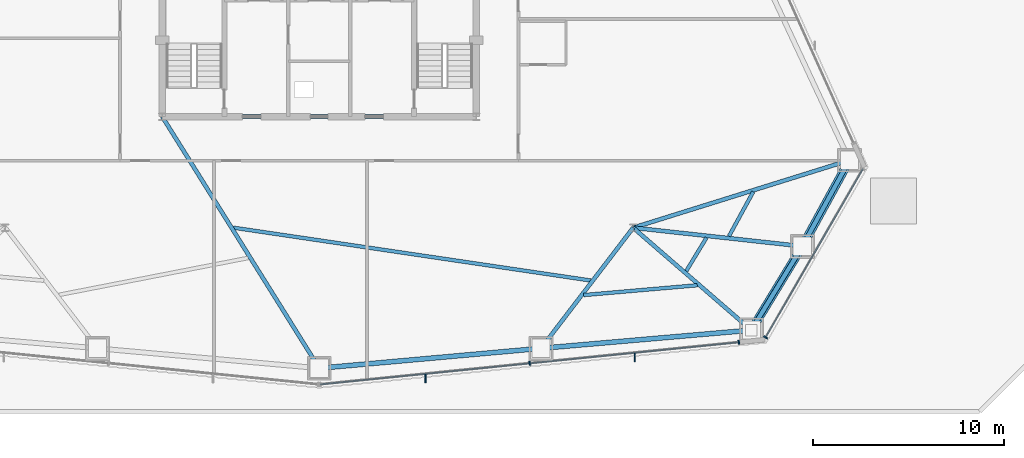
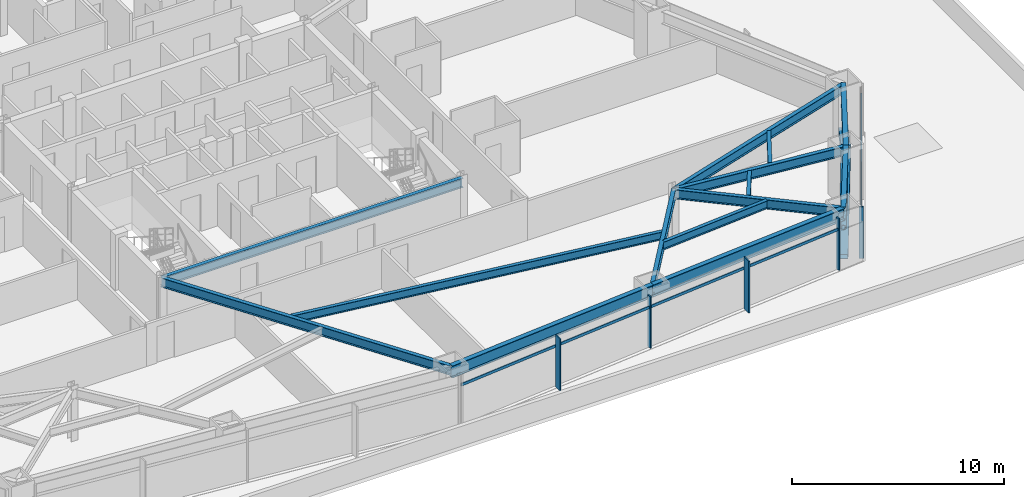
# One storey, part 6 of 17: 14 beams, 10 members, 2 elements without a shape of their own.
"""IFC4 building model written with IfcOpenShell, lengths in metres."""

import ifcopenshell
import ifcopenshell.guid

model = None  # the IFC model being written
_history = None  # IfcOwnerHistory: only IFC2X3 demands one
_inside = {}  # id of a spatial element -> (the spatial element, [elements in it])
_under = {}  # id of a project, library or spatial element -> (it, [spatial elements below it])
_declared = {}  # id of a project -> (the project, [libraries it declares])
_typed = {}  # id of a type object -> (the type object, [elements of that type])
_made_of = {}  # id of a material, layer set ... -> (it, [elements and type objects made of it])


def new_model(schema):
    """Start an empty IFC model of exactly this schema.

    Asked for "IFC4X3", IfcOpenShell would pick the latest addendum, in which some entities
    have other attributes; the version numbers below select the first issue.
    IFC2X3 requires an IfcOwnerHistory on every rooted entity: one is made here for all.
    """
    global model, _history
    if schema == "IFC4X3":
        model = ifcopenshell.file(schema_version=(4, 3, 0, 0))
    else:
        model = ifcopenshell.file(schema=schema)
    _inside.clear()
    _under.clear()
    _declared.clear()
    _typed.clear()
    _made_of.clear()
    _history = None
    if model.schema == "IFC2X3":
        org = make("IfcOrganization", Name="unknown")
        user = make(
            "IfcPersonAndOrganization",
            ThePerson=make("IfcPerson", FamilyName="unknown"),
            TheOrganization=org,
        )
        app = make(
            "IfcApplication",
            ApplicationDeveloper=org,
            Version="unknown",
            ApplicationFullName="unknown",
            ApplicationIdentifier="unknown",
        )
        _history = make(
            "IfcOwnerHistory",
            OwningUser=user,
            OwningApplication=app,
            ChangeAction="ADDED",
            CreationDate=0,
        )
    return model


def make(cls, **values):
    """One entity of the class cls with the attributes given. An attribute that is None is left unset."""
    return model.create_entity(
        cls, **{name: value for name, value in values.items() if value is not None}
    )


def rooted(cls, **values):
    """An entity with a GlobalId (a new one), such as an element, a storey or a relation."""
    return make(cls, GlobalId=ifcopenshell.guid.new(), OwnerHistory=_history, **values)


def si_unit(unit_type, name, prefix=None):
    """IfcSIUnit, for example si_unit("LENGTHUNIT", "METRE", prefix="MILLI")."""
    return make("IfcSIUnit", UnitType=unit_type, Prefix=prefix, Name=name)


def assignment(units):
    """IfcUnitAssignment: the units of a project."""
    return None if units is None else make("IfcUnitAssignment", Units=units)


def point(xyz):
    """IfcCartesianPoint."""
    return None if xyz is None else make("IfcCartesianPoint", Coordinates=xyz)


def direction(xyz):
    """IfcDirection."""
    return None if xyz is None else make("IfcDirection", DirectionRatios=xyz)


def frame(location, z_axis=None, x_axis=None):
    """IfcAxis2Placement3D, a coordinate frame: its origin and axes. An axis left out is left unset."""
    return make(
        "IfcAxis2Placement3D",
        Location=point(location),
        Axis=direction(z_axis),
        RefDirection=direction(x_axis),
    )


def frame_2d(location, x_axis=None):
    """IfcAxis2Placement2D, a coordinate frame in the plane: its origin and x axis."""
    return make(
        "IfcAxis2Placement2D", Location=point(location), RefDirection=direction(x_axis)
    )


def origin():
    """The frame at (0, 0, 0) with its axes left unset."""
    return frame((0.0, 0.0, 0.0))


def origin_2d():
    """The frame at (0, 0) in the plane with its x axis left unset."""
    return frame_2d((0.0, 0.0))


def place(relative_to, where):
    """IfcLocalPlacement: puts the frame where relative to a parent placement (None: the world)."""
    return make(
        "IfcLocalPlacement", PlacementRelTo=relative_to, RelativePlacement=where
    )


def context(
    kind, dimensions, precision=None, world=None, true_north=None, identifier=None
):
    """IfcGeometricRepresentationContext, for example the 3D "Model" context."""
    return make(
        "IfcGeometricRepresentationContext",
        ContextIdentifier=identifier,
        ContextType=kind,
        CoordinateSpaceDimension=dimensions,
        Precision=precision,
        WorldCoordinateSystem=world,
        TrueNorth=true_north,
    )


def subcontext(parent, identifier, kind, view, scale=None):
    """IfcGeometricRepresentationSubContext, for example "Body" below "Model"."""
    return make(
        "IfcGeometricRepresentationSubContext",
        ContextIdentifier=identifier,
        ContextType=kind,
        ParentContext=parent,
        TargetScale=scale,
        TargetView=view,
    )


def project(units=None, contexts=None):
    """IfcProject with its units and contexts."""
    return rooted(
        "IfcProject",
        Name="project",
        RepresentationContexts=contexts,
        UnitsInContext=assignment(units),
    )


def spatial(cls, under=None, at=None, **own):
    """A site, building, storey or space (cls), placed at a placement, below another one or the project."""
    s = rooted(cls, ObjectPlacement=at, **own)
    if under is not None:
        _under.setdefault(under.id(), (under, []))[1].append(s)
    return s


def profile(cls, at=None, kind="AREA", **sizes):
    """A parametric profile (cls). Its sizes go by their IFC names, for example OverallWidth=200.0."""
    return make(cls, ProfileType=kind, Position=at, **sizes)


def rectangle(**sizes):
    """IfcRectangleProfileDef."""
    return profile("IfcRectangleProfileDef", **sizes)


def hollow_rectangle(**sizes):
    """IfcRectangleHollowProfileDef."""
    return profile("IfcRectangleHollowProfileDef", **sizes)


def hollow_circle(**sizes):
    """IfcCircleHollowProfileDef."""
    return profile("IfcCircleHollowProfileDef", **sizes)


def i_section(**sizes):
    """IfcIShapeProfileDef."""
    return profile("IfcIShapeProfileDef", **sizes)


def extrude(swept, where, along, depth):
    """IfcExtrudedAreaSolid: the profile swept, set in the frame where, extruded along a direction by depth."""
    return make(
        "IfcExtrudedAreaSolid",
        SweptArea=swept,
        Position=where,
        ExtrudedDirection=direction(along),
        Depth=depth,
    )


def shape(context_of_items, identifier, shape_type, items):
    """IfcShapeRepresentation: the items that make up one representation, for example the "Body"."""
    return make(
        "IfcShapeRepresentation",
        ContextOfItems=context_of_items,
        RepresentationIdentifier=identifier,
        RepresentationType=shape_type,
        Items=items,
    )


def source(mapping_origin, context_of_items, identifier, shape_type, items):
    """IfcRepresentationMap: a shape defined once, which mapped items show again and again."""
    return make(
        "IfcRepresentationMap",
        MappingOrigin=mapping_origin,
        MappedRepresentation=shape(context_of_items, identifier, shape_type, items),
    )


def transform(
    local_origin,
    x_axis=None,
    y_axis=None,
    z_axis=None,
    scale=None,
    scale2=None,
    scale3=None,
    uniform=True,
):
    """IfcCartesianTransformationOperator3D, or its non-uniform kind. x_axis, y_axis, z_axis: its Axis1, 2, 3."""
    if uniform:
        return make(
            "IfcCartesianTransformationOperator3D",
            Axis1=direction(x_axis),
            Axis2=direction(y_axis),
            LocalOrigin=point(local_origin),
            Scale=scale,
            Axis3=direction(z_axis),
        )
    return make(
        "IfcCartesianTransformationOperator3DnonUniform",
        Axis1=direction(x_axis),
        Axis2=direction(y_axis),
        LocalOrigin=point(local_origin),
        Scale=scale,
        Axis3=direction(z_axis),
        Scale2=scale2,
        Scale3=scale3,
    )


def mapped(mapping_source, mapping_target):
    """IfcMappedItem: shows the shape of a source again, moved by a transform."""
    return make(
        "IfcMappedItem", MappingSource=mapping_source, MappingTarget=mapping_target
    )


def material(Name=None, Category=None):
    """IfcMaterial."""
    return make("IfcMaterial", Name=Name, Category=Category)


def layer(
    of_material, thickness, ventilated=None, Name=None, Category=None, Priority=None
):
    """IfcMaterialLayer: one layer of a wall or slab, of a material (None: an air gap)."""
    return make(
        "IfcMaterialLayer",
        Material=of_material,
        LayerThickness=thickness,
        IsVentilated=ventilated,
        Name=Name,
        Category=Category,
        Priority=Priority,
    )


def layer_set(layers, Name=None):
    """IfcMaterialLayerSet."""
    return make("IfcMaterialLayerSet", MaterialLayers=layers, LayerSetName=Name)


def material_profile(
    of_material, cross_section, Name=None, Category=None, Priority=None
):
    """IfcMaterialProfile: a cross section and its material."""
    return make(
        "IfcMaterialProfile",
        Name=Name,
        Material=of_material,
        Profile=cross_section,
        Priority=Priority,
        Category=Category,
    )


def profile_set(profiles, Name=None, composite=None):
    """IfcMaterialProfileSet."""
    return make(
        "IfcMaterialProfileSet",
        Name=Name,
        MaterialProfiles=profiles,
        CompositeProfile=composite,
    )


def made_of(thing, what):
    """Note that an element or type object is made of a material, layer set ...; save() writes the relation."""
    if what is not None:
        _made_of.setdefault(what.id(), (what, []))[1].append(thing)
    return thing


def type_object(cls, material=None, **own):
    """A type object (cls), such as IfcWallType, which elements share."""
    return made_of(rooted(cls, **own), material)


def type_shapes(of_type, sources):
    """Give a type object the sources (RepresentationMaps) that its elements show as mapped items."""
    of_type.RepresentationMaps = sources


def element(
    cls,
    number,
    at=None,
    inside=None,
    cuts=None,
    type_object=None,
    material=None,
    context=None,
    identifier="Body",
    shape_type=None,
    held_by="IfcProductDefinitionShape",
    body=None,
    shapes=None,
    **own,
):
    """One element of the class cls, such as IfcWall. Its Tag is "e" and its number.

    at: its placement. inside: the storey or other place that contains it. cuts: it is an
    opening in that element (IfcRelVoidsElement). A single representation is given by context,
    identifier, shape_type and body (its items); several are given by shapes. held_by: the class
    of the entity that holds the representations. save() writes the other relations.
    """
    e = rooted(cls, Tag="e%d" % number, ObjectPlacement=at, **own)
    if body is not None:
        shapes = [shape(context, identifier, shape_type, body)]
    if shapes is not None:
        e.Representation = make(held_by, Representations=shapes)
    if inside is not None:
        _inside.setdefault(inside.id(), (inside, []))[1].append(e)
    if cuts is not None:
        rooted(
            "IfcRelVoidsElement", RelatingBuildingElement=cuts, RelatedOpeningElement=e
        )
    if type_object is not None:
        _typed.setdefault(type_object.id(), (type_object, []))[1].append(e)
    return made_of(e, material)


def aggregate(whole, parts):
    """IfcRelAggregates: a whole, such as a stair, and the parts it consists of."""
    return rooted("IfcRelAggregates", RelatingObject=whole, RelatedObjects=parts)


def save(model, path):
    """Write the relations noted so far, then the file.

    IfcRelAggregates (storeys below a building ...), IfcRelContainedInSpatialStructure (elements
    in a storey), IfcRelDefinesByType, IfcRelAssociatesMaterial and IfcRelDeclares: one each for
    every whole, place, type object, material and project.
    """
    for whole, parts in _under.values():
        aggregate(whole, parts)
    for where, things in _inside.values():
        rooted(
            "IfcRelContainedInSpatialStructure",
            RelatedElements=things,
            RelatingStructure=where,
        )
    for kind, things in _typed.values():
        rooted("IfcRelDefinesByType", RelatedObjects=things, RelatingType=kind)
    for what, things in _made_of.values():
        rooted("IfcRelAssociatesMaterial", RelatedObjects=things, RelatingMaterial=what)
    for by, libraries in _declared.values():
        rooted("IfcRelDeclares", RelatingContext=by, RelatedDefinitions=libraries)
    model.write(path)


model = new_model("IFC4")

# Units and contexts
model_context = context("Model", 3, precision=1e-05, world=origin(), true_north=direction((0.0, 1.0)))
body_context = subcontext(model_context, "Body", "Model", "MODEL_VIEW")
ifc_project = project(units=[si_unit("LENGTHUNIT", "METRE"), si_unit("AREAUNIT", "SQUARE_METRE"), si_unit("VOLUMEUNIT", "CUBIC_METRE"), si_unit("PLANEANGLEUNIT", "RADIAN"), si_unit("MASSUNIT", "GRAM", prefix="KILO")], contexts=[model_context])

# Site, building, storey
site_placement = place(None, origin())
site = spatial("IfcSite", under=ifc_project, at=site_placement, CompositionType="ELEMENT")
building_placement = place(site_placement, origin())
building = spatial("IfcBuilding", under=site, at=building_placement, Name="Varakhsha Concourse Tower", CompositionType="ELEMENT")
storey_placement = place(building_placement, frame((0.0, 0.0, 27.199951171875)))
storey = spatial("IfcBuildingStorey", under=building, at=storey_placement, Name="L06", CompositionType="ELEMENT", Elevation=27.199951171875)

# Beams
ifc_material_1 = material(Name="Structural Steel ASTM A992 Grade 50", Category="steel")
ifc_material_profile_1 = material_profile(ifc_material_1, i_section(OverallWidth=0.19091796875, OverallDepth=0.45703125, WebThickness=0.009033203125, FlangeThickness=0.013916015625, at=origin_2d()), Name="W18X50")
ifc_profile_set_1 = profile_set([ifc_material_profile_1], Name="Structural Steel ASTM A992 Grade 50")
beam_type_1 = type_object("IfcBeamType", Name="BM-JST-W18X50", PredefinedType="JOIST", material=ifc_profile_set_1)
beam_1_placement = place(storey_placement, frame((35.516845703125, 10.602294921875, 2.75146484375), z_axis=(0.989246374726, -0.146258709454, 0.0), x_axis=(0.146258709454, 0.989246374726, 0.0)))
element("IfcBeam", 1, at=beam_1_placement, inside=storey, type_object=beam_type_1, Name="BM-TJST-L06-11", PredefinedType="JOIST", context=body_context, shape_type="SweptSolid", body=[
    extrude(i_section(OverallWidth=0.19091796875, OverallDepth=0.45703125, WebThickness=0.009033203125, FlangeThickness=0.013916015625, at=origin_2d()), origin(), (0.0, 0.0, 1.0), 18.859130859375),
])
beam_2_placement = place(storey_placement, frame((53.813720703125, 7.081298828125, 2.75146484375), z_axis=(0.996273739352, 0.086247529114, 0.0), x_axis=(-0.086247529114, 0.996273739352, 0.0)))
element("IfcBeam", 2, at=beam_2_placement, inside=storey, type_object=beam_type_1, Name="BM-TJST-L06-12", PredefinedType="JOIST", context=body_context, shape_type="SweptSolid", body=[
    extrude(i_section(OverallWidth=0.19091796875, OverallDepth=0.45703125, WebThickness=0.009033203125, FlangeThickness=0.013916015625, at=origin_2d()), origin(), (0.0, 0.0, 1.0), 5.955810546875),
])
beam_3_placement = place(storey_placement, frame((59.17333984375, 8.34033203125, 2.75146484375), z_axis=(0.519585338852, 0.854418559987, 0.0), x_axis=(-0.854418559987, 0.519585338852, 0.0)))
element("IfcBeam", 3, at=beam_3_placement, inside=storey, type_object=beam_type_1, Name="BM-TJST-L06-13", PredefinedType="JOIST", context=body_context, shape_type="SweptSolid", body=[
    extrude(i_section(OverallWidth=0.19091796875, OverallDepth=0.45703125, WebThickness=0.009033203125, FlangeThickness=0.013916015625, at=origin_2d()), origin(), (0.0, 0.0, 1.0), 2.034912109375),
])
beam_4_placement = place(storey_placement, frame((61.40087890625, 10.1533203125, 2.75146484375), z_axis=(0.480213381791, 0.877151701787, 0.0), x_axis=(-0.877151701787, 0.480213381791, 0.0)))
element("IfcBeam", 4, at=beam_4_placement, inside=storey, type_object=beam_type_1, Name="BM-TJST-L06-14", PredefinedType="JOIST", context=body_context, shape_type="SweptSolid", body=[
    extrude(i_section(OverallWidth=0.19091796875, OverallDepth=0.45703125, WebThickness=0.009033203125, FlangeThickness=0.013916015625, at=origin_2d()), origin(), (0.0, 0.0, 1.0), 2.650390625),
])
ifc_material_profile_2 = material_profile(ifc_material_1, i_section(OverallWidth=0.2109375, OverallDepth=0.5390625, WebThickness=0.011962890625, FlangeThickness=0.01904296875, at=origin_2d()), Name="W21X73")
ifc_profile_set_2 = profile_set([ifc_material_profile_2], Name="Structural Steel ASTM A992 Grade 50")
beam_type_2 = type_object("IfcBeamType", Name="BM-RAD-W21X73", PredefinedType="BEAM", material=ifc_profile_set_2)
beam_5_placement = place(storey_placement, frame((31.800048828125, 16.39990234375, 2.71044921875), z_axis=(1.0, 0.0, 0.0), x_axis=(0.0, 1.0, 0.0)))
element("IfcBeam", 5, at=beam_5_placement, inside=storey, type_object=beam_type_2, Name="BM-TCORE-L06-CS", PredefinedType="BEAM", context=body_context, shape_type="SweptSolid", body=[
    extrude(i_section(OverallWidth=0.2109375, OverallDepth=0.5390625, WebThickness=0.011962890625, FlangeThickness=0.01904296875, at=origin_2d()), origin(), (0.0, 0.0, 1.0), 16.39990234375),
])
beam_6_placement = place(storey_placement, frame((31.800048828125, 16.39990234375, 2.71044921875), z_axis=(0.52941931836, -0.84836029218, 0.0), x_axis=(0.84836029218, 0.52941931836, 0.0)))
element("IfcBeam", 6, at=beam_6_placement, inside=storey, type_object=beam_type_2, Name="L06 Radial Floor Girder 11", PredefinedType="BEAM", context=body_context, shape_type="SweptSolid", body=[
    extrude(i_section(OverallWidth=0.2109375, OverallDepth=0.5390625, WebThickness=0.011962890625, FlangeThickness=0.01904296875, at=origin_2d()), origin(), (0.0, 0.0, 1.0), 15.488525390625),
])
beam_7_placement = place(storey_placement, frame((56.39990234375, 10.60009765625, 2.71044921875), z_axis=(-0.607124337511, -0.794606845428, 0.0), x_axis=(0.794606845428, -0.607124337511, 0.0)))
element("IfcBeam", 7, at=beam_7_placement, inside=storey, type_object=beam_type_2, Name="L06 Radial Floor Girder 12", PredefinedType="BEAM", context=body_context, shape_type="SweptSolid", body=[
    extrude(i_section(OverallWidth=0.2109375, OverallDepth=0.5390625, WebThickness=0.011962890625, FlangeThickness=0.01904296875, at=origin_2d()), origin(), (0.0, 0.0, 1.0), 7.92919921875),
])
beam_8_placement = place(storey_placement, frame((56.39990234375, 10.60009765625, 2.71044921875), z_axis=(0.755728528056, -0.65488502188, 0.0), x_axis=(0.65488502188, 0.755728528056, 0.0)))
element("IfcBeam", 8, at=beam_8_placement, inside=storey, type_object=beam_type_2, Name="L06 Radial Floor Girder 13", PredefinedType="BEAM", context=body_context, shape_type="SweptSolid", body=[
    extrude(i_section(OverallWidth=0.2109375, OverallDepth=0.5390625, WebThickness=0.011962890625, FlangeThickness=0.01904296875, at=origin_2d()), origin(), (0.0, 0.0, 1.0), 8.16845703125),
])
beam_9_placement = place(storey_placement, frame((56.39990234375, 10.60009765625, 2.71044921875), z_axis=(0.994025918026, -0.109144281995, 0.0), x_axis=(0.109144281995, 0.994025918026, 0.0)))
element("IfcBeam", 9, at=beam_9_placement, inside=storey, type_object=beam_type_2, Name="L06 Radial Floor Girder 14", PredefinedType="BEAM", context=body_context, shape_type="SweptSolid", body=[
    extrude(i_section(OverallWidth=0.2109375, OverallDepth=0.5390625, WebThickness=0.011962890625, FlangeThickness=0.01904296875, at=origin_2d()), origin(), (0.0, 0.0, 1.0), 8.889404296875),
])
beam_10_placement = place(storey_placement, frame((56.39990234375, 10.60009765625, 2.71044921875), z_axis=(0.954595165952, 0.297906141495, 0.0), x_axis=(-0.297906141495, 0.954595165952, 0.0)))
element("IfcBeam", 10, at=beam_10_placement, inside=storey, type_object=beam_type_2, Name="L06 Radial Floor Girder 15", PredefinedType="BEAM", context=body_context, shape_type="SweptSolid", body=[
    extrude(i_section(OverallWidth=0.2109375, OverallDepth=0.5390625, WebThickness=0.011962890625, FlangeThickness=0.01904296875, at=origin_2d()), origin(), (0.0, 0.0, 1.0), 11.834716796875),
])
ifc_material_profile_3 = material_profile(ifc_material_1, i_section(OverallWidth=0.25390625, OverallDepth=0.701904296875, WebThickness=0.014892578125, FlangeThickness=0.028076171875, at=origin_2d()), Name="W27X129")
ifc_profile_set_3 = profile_set([ifc_material_profile_3], Name="Structural Steel ASTM A992 Grade 50")
beam_type_3 = type_object("IfcBeamType", Name="BM-SPAN-W27X129", PredefinedType="SPANDREL", material=ifc_profile_set_3)
beam_11_placement = place(storey_placement, frame((40.0, 3.260009765625, 2.629150390625), z_axis=(0.995998835259, 0.089366213767, 0.0), x_axis=(-0.089366213767, 0.995998835259, 0.0)))
element("IfcBeam", 11, at=beam_11_placement, inside=storey, type_object=beam_type_3, Name="BM-SPAN-L06-11", PredefinedType="SPANDREL", context=body_context, shape_type="SweptSolid", body=[
    extrude(i_section(OverallWidth=0.25390625, OverallDepth=0.701904296875, WebThickness=0.014892578125, FlangeThickness=0.028076171875, at=origin_2d()), origin(), (0.0, 0.0, 1.0), 11.632568359375),
])
beam_12_placement = place(storey_placement, frame((51.5859375, 4.299560546875, 2.629150390625), z_axis=(0.996273577178, 0.086249402411, 0.0), x_axis=(-0.086249402411, 0.996273577178, 0.0)))
element("IfcBeam", 12, at=beam_12_placement, inside=storey, type_object=beam_type_3, Name="BM-SPAN-L06-12", PredefinedType="SPANDREL", context=body_context, shape_type="SweptSolid", body=[
    extrude(i_section(OverallWidth=0.25390625, OverallDepth=0.701904296875, WebThickness=0.014892578125, FlangeThickness=0.028076171875, at=origin_2d()), origin(), (0.0, 0.0, 1.0), 11.028076171875),
])
beam_13_placement = place(storey_placement, frame((62.572998046875, 5.250732421875, 2.629150390625), z_axis=(0.519593292706, 0.854413723072, 0.0), x_axis=(-0.854413723072, 0.519593292706, 0.0)))
element("IfcBeam", 13, at=beam_13_placement, inside=storey, type_object=beam_type_3, Name="BM-SPAN-L06-13", PredefinedType="SPANDREL", context=body_context, shape_type="SweptSolid", body=[
    extrude(i_section(OverallWidth=0.25390625, OverallDepth=0.701904296875, WebThickness=0.014892578125, FlangeThickness=0.028076171875, at=origin_2d()), origin(), (0.0, 0.0, 1.0), 5.125244140625),
])
beam_14_placement = place(storey_placement, frame((65.236083984375, 9.6298828125, 2.629150390625), z_axis=(0.480189853619, 0.877164582323, 0.0), x_axis=(-0.877164582323, 0.480189853619, 0.0)))
element("IfcBeam", 14, at=beam_14_placement, inside=storey, type_object=beam_type_3, Name="BM-SPAN-L06-14", PredefinedType="SPANDREL", context=body_context, shape_type="SweptSolid", body=[
    extrude(i_section(OverallWidth=0.25390625, OverallDepth=0.701904296875, WebThickness=0.014892578125, FlangeThickness=0.028076171875, at=origin_2d()), origin(), (0.0, 0.0, 1.0), 5.12548828125),
])

# Members
ifc_material_2 = material(Name="Structural Steel ASTM A500 Grade C", Category="steel")
ifc_material_profile_4 = material_profile(ifc_material_2, hollow_rectangle(XDim=0.449951171875, YDim=0.449951171875, WallThickness=0.01904296875, at=origin_2d()), Name="HSS 450x450x19")
ifc_profile_set_4 = profile_set([ifc_material_profile_4], Name="Structural Steel ASTM A500 Grade C")
member_type_1 = type_object("IfcMemberType", Name="MB-TUBE-HSS450", PredefinedType="BRACE", material=ifc_profile_set_4)
shared_shape_1 = source(origin(), body_context, "Body", "SweptSolid", [
    extrude(hollow_rectangle(XDim=0.449951171875, YDim=0.449951171875, WallThickness=0.01904296875, at=origin_2d()), origin(), (0.0, 0.0, 1.0), 5.72900390625),
])
type_shapes(member_type_1, [shared_shape_1])
for number, where, z_axis, x_axis, name in (
    (15, (62.572998046875, 5.250732421875, 0.1201171875), (0.464841695166, 0.764380774312, 0.446815655832), (-0.854413723072, 0.519593292706, 0.0), "L06 Wind-Corner Tube Brace B05"),
    (16, (67.697265625, 14.125732421875, 0.1201171875), (-0.429592137796, -0.784737547616, 0.446808209979), (0.877164582323, -0.480189853619, 0.0), "L06 Wind-Corner Tube Brace B06"),
):
    element("IfcMember", number, at=place(storey_placement, frame(where, z_axis=z_axis, x_axis=x_axis)), inside=storey, type_object=member_type_1, Name=name, PredefinedType="BRACE", context=body_context, shape_type="MappedRepresentation", body=[
        mapped(shared_shape_1, transform((0.0, 0.0, 0.0), scale=1.0)),
    ])
ifc_material_profile_5 = material_profile(ifc_material_2, hollow_circle(Radius=0.136474609375, WallThickness=0.011962890625, at=origin_2d()), Name="CHS 273x12")
ifc_profile_set_5 = profile_set([ifc_material_profile_5], Name="Structural Steel ASTM A500 Grade C")
member_type_2 = type_object("IfcMemberType", Name="MB-WIND-CHS273", PredefinedType="COLLAR", material=ifc_profile_set_5)
shared_shape_2 = source(origin(), body_context, "Body", "SweptSolid", [
    extrude(hollow_circle(Radius=0.136474609375, WallThickness=0.011962890625, at=origin_2d()), origin(), (0.0, 0.0, 1.0), 5.125244140625),
])
type_shapes(member_type_2, [shared_shape_2])
member_1_placement = place(storey_placement, frame((62.572998046875, 5.250732421875, 1.800048828125), z_axis=(0.519593292706, 0.854413723072, 0.0), x_axis=(-0.854413723072, 0.519593292706, 0.0)))
element("IfcMember", 17, at=member_1_placement, inside=storey, type_object=member_type_2, Name="L06 Wind-Corner Collar Tie 3", PredefinedType="COLLAR", context=body_context, shape_type="MappedRepresentation", body=[
    mapped(shared_shape_2, transform((0.0, 0.0, 0.0), scale=1.0)),
])

# Curtain wall, members
ifc_material_3 = material(Name="Anodised Bronze Architectural Aluminium AA 6063-T6", Category="aluminium")
ifc_layer = layer(ifc_material_3, 0.219970703125, Name="CW-SYS-02")
ifc_layer_set = layer_set([ifc_layer], Name="Anodised Bronze Architectural Aluminium AA 6063-T6")
curtain_wall_type = type_object("IfcCurtainWallType", Name="CW-SYS-02", PredefinedType="NOTDEFINED", material=ifc_layer_set)
curtain_wall_1_placement = place(storey_placement, origin())
curtain_wall_1 = element("IfcCurtainWall", 18, at=curtain_wall_1_placement, inside=storey, type_object=curtain_wall_type, Name="L06 Crystal Curtain Wall F6", PredefinedType="NOTDEFINED")
ifc_material_profile_6 = material_profile(ifc_material_3, rectangle(XDim=0.074951171875, YDim=0.219970703125, at=origin_2d()), Name="CWM-220X75")
ifc_profile_set_6 = profile_set([ifc_material_profile_6], Name="Anodised Bronze Architectural Aluminium AA 6063-T6")
member_type_3 = type_object("IfcMemberType", Name="CWM-220X75", PredefinedType="MULLION", material=ifc_profile_set_6)
shared_shape_3 = source(origin(), body_context, "Body", "SweptSolid", [
    extrude(rectangle(XDim=0.074951171875, YDim=0.219970703125, at=origin_2d()), origin(), (0.0, 0.0, 1.0), 2.97998046875),
])
type_shapes(member_type_3, [shared_shape_3])
member_2_placement = place(storey_placement, frame((61.919189453125, 4.61669921875, 0.0), z_axis=(0.0, 0.0, 1.0), x_axis=(-0.994964670572, -0.100226265587, 0.0)))
member_2 = element("IfcMember", 19, at=member_2_placement, type_object=member_type_3, Name="CW-L06-F6 Mullion 00", PredefinedType="MULLION", context=body_context, shape_type="MappedRepresentation", body=[
    mapped(shared_shape_3, transform((0.0, 0.0, 0.0), scale=1.0)),
])
member_3_placement = place(storey_placement, frame((50.991455078125, 3.51611328125, 0.0), z_axis=(0.0, 0.0, 1.0), x_axis=(-0.994964670572, -0.100226265587, 0.0)))
member_3 = element("IfcMember", 20, at=member_3_placement, type_object=member_type_3, Name="CW-L06-F6 Mullion 01", PredefinedType="MULLION", context=body_context, shape_type="MappedRepresentation", body=[
    mapped(shared_shape_3, transform((0.0, 0.0, 0.0), scale=1.0)),
])

curtain_wall_2_placement = place(storey_placement, origin())
curtain_wall_2 = element("IfcCurtainWall", 21, at=curtain_wall_2_placement, inside=storey, type_object=curtain_wall_type, Name="L06 Chamfer Curtain Wall F7", PredefinedType="NOTDEFINED")
member_4_placement = place(storey_placement, frame((63.319580078125, 4.87060546875, 0.0), z_axis=(0.0, 0.0, 1.0), x_axis=(-0.499996976998, -0.866027149108, 0.0)))
member_4 = element("IfcMember", 22, at=member_4_placement, type_object=member_type_3, Name="CW-L06-F7 Mullion 01", PredefinedType="MULLION", context=body_context, shape_type="MappedRepresentation", body=[
    mapped(shared_shape_3, transform((0.0, 0.0, 0.0), scale=1.0)),
])
ifc_material_profile_7 = material_profile(ifc_material_3, rectangle(XDim=0.06494140625, YDim=0.159912109375, at=origin_2d()), Name="CWT-160X65")
ifc_profile_set_7 = profile_set([ifc_material_profile_7], Name="Anodised Bronze Architectural Aluminium AA 6063-T6")
member_type_4 = type_object("IfcMemberType", Name="CWT-160X65", PredefinedType="USERDEFINED", material=ifc_profile_set_7)
shared_shape_4 = source(origin(), body_context, "Body", "SweptSolid", [
    extrude(rectangle(XDim=0.06494140625, YDim=0.159912109375, at=origin_2d()), origin(), (0.0, 0.0, 1.0), 10.16015625),
])
member_5_placement = place(storey_placement, frame((68.399658203125, 13.66943359375, 2.330078125), z_axis=(-0.500005339912, -0.866022320763, 0.0), x_axis=(0.866022320763, -0.500005339912, 0.0)))
member_5 = element("IfcMember", 23, at=member_5_placement, type_object=member_type_4, Name="CW-L06-F7 Transom 01", ObjectType="TRANSOM", PredefinedType="USERDEFINED", context=body_context, shape_type="MappedRepresentation", body=[
    mapped(shared_shape_4, transform((0.0, 0.0, 0.0), scale=1.0)),
])
aggregate(curtain_wall_2, [member_4, member_5])

# Member
ifc_material_profile_8 = material_profile(ifc_material_3, rectangle(XDim=0.06494140625, YDim=0.449951171875, at=origin_2d()), Name="FIN-BRZ-450")
ifc_profile_set_8 = profile_set([ifc_material_profile_8], Name="Anodised Bronze Architectural Aluminium AA 6063-T6")
member_type_5 = type_object("IfcMemberType", Name="FIN-BRZ-450", PredefinedType="USERDEFINED", material=ifc_profile_set_8)
shared_shape_5 = source(origin(), body_context, "Body", "SweptSolid", [
    extrude(rectangle(XDim=0.06494140625, YDim=0.449951171875, at=origin_2d()), origin(), (0.0, 0.0, 1.0), 2.97998046875),
])
type_shapes(member_type_5, [shared_shape_5])
member_6_placement = place(storey_placement, frame((56.4794921875, 3.82763671875, 0.0), z_axis=(0.0, 0.0, 1.0), x_axis=(1.0, 0.0, 0.0)))
member_6 = element("IfcMember", 24, at=member_6_placement, type_object=member_type_5, Name="L06 Anodised Bronze Solar Fin F6-1", ObjectType="SOLAR FIN", PredefinedType="USERDEFINED", context=body_context, shape_type="MappedRepresentation", body=[
    mapped(shared_shape_5, transform((0.0, 0.0, 0.0), scale=1.0)),
])

member_7_placement = place(storey_placement, frame((45.551513671875, 2.726806640625, 0.0), z_axis=(0.0, 0.0, 1.0), x_axis=(1.0, 0.0, 0.0)))
member_7 = element("IfcMember", 25, at=member_7_placement, type_object=member_type_5, Name="L06 Anodised Bronze Solar Fin F6-2", ObjectType="SOLAR FIN", PredefinedType="USERDEFINED", context=body_context, shape_type="MappedRepresentation", body=[
    mapped(shared_shape_5, transform((0.0, 0.0, 0.0), scale=1.0)),
])

shared_shape_6 = source(origin(), body_context, "Body", "SweptSolid", [
    extrude(rectangle(XDim=0.06494140625, YDim=0.159912109375, at=origin_2d()), origin(), (0.0, 0.0, 1.0), 21.966064453125),
])
type_shapes(member_type_4, [shared_shape_4, shared_shape_6])
member_8_placement = place(storey_placement, frame((61.919189453125, 4.61669921875, 2.330078125), z_axis=(-0.99496540449, -0.100218979583, 0.0), x_axis=(0.100218979583, -0.99496540449, 0.0)))
member_8 = element("IfcMember", 26, at=member_8_placement, type_object=member_type_4, Name="CW-L06-F6 Transom 01", ObjectType="TRANSOM", PredefinedType="USERDEFINED", context=body_context, shape_type="MappedRepresentation", body=[
    mapped(shared_shape_6, transform((0.0, 0.0, 0.0), scale=1.0)),
])

aggregate(curtain_wall_1, [member_2, member_3, member_8, member_6, member_7])

save(model, "model.ifc")
